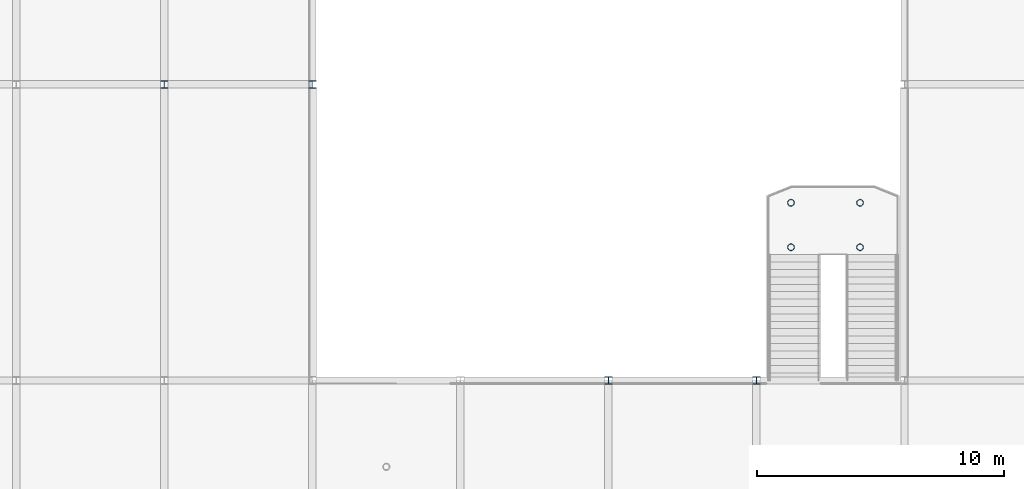
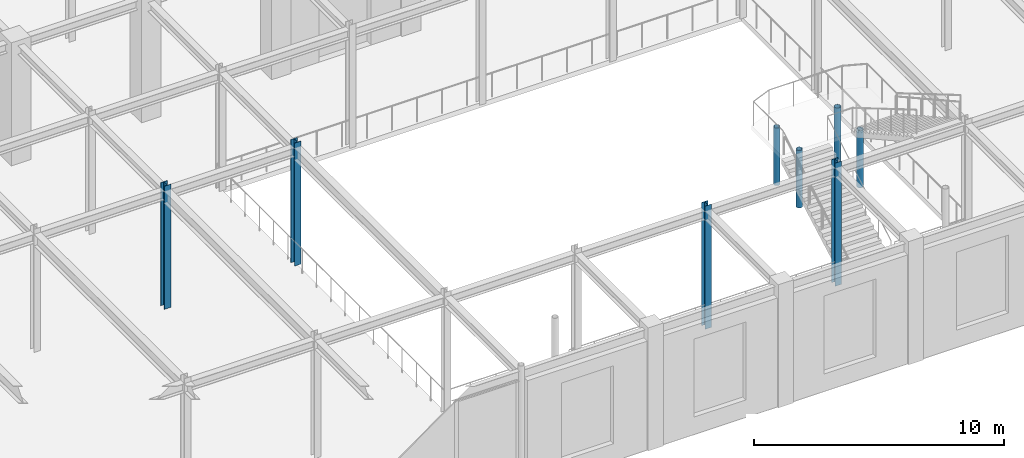
# One storey, part 8 of 108: 8 columns.
"""IFC4 building model written with IfcOpenShell, lengths in metres."""

from ifc_helpers import new_model, si_unit, direction, frame, origin, origin_2d, place, context, subcontext, project, spatial, hollow_circle, i_section, extrude, material, material_profile, profile_set, type_object, element, save


model = new_model("IFC4")

# Units and contexts
model_context = context("Model", 3, precision=1e-05, world=origin(), true_north=direction((0.0, 1.0)))
body_context = subcontext(model_context, "Body", "Model", "MODEL_VIEW")
ifc_project = project(units=[si_unit("LENGTHUNIT", "METRE"), si_unit("AREAUNIT", "SQUARE_METRE"), si_unit("VOLUMEUNIT", "CUBIC_METRE"), si_unit("PLANEANGLEUNIT", "RADIAN"), si_unit("MASSUNIT", "GRAM", prefix="KILO")], contexts=[model_context])

# Site, building, storey
site_placement = place(None, origin())
site = spatial("IfcSite", under=ifc_project, at=site_placement, CompositionType="ELEMENT")
building_placement = place(site_placement, origin())
building = spatial("IfcBuilding", under=site, at=building_placement, Name="Zlatovratsky Civic Hall", CompositionType="ELEMENT")
storey_placement = place(building_placement, frame((0.0, 0.0, 6.0)))
storey = spatial("IfcBuildingStorey", under=building, at=storey_placement, Name="L02", CompositionType="ELEMENT", Elevation=6.0)

# Columns
ifc_material = material(Name="Steel S355", Category="steel")
ifc_material_profile_1 = material_profile(ifc_material, hollow_circle(Radius=0.136474609375, WallThickness=0.010009765625, at=origin_2d()), Name="CHS 273x10")
ifc_profile_set_1 = profile_set([ifc_material_profile_1], Name="Steel S355")
column_type_1 = type_object("IfcColumnType", Name="Col_Portico_CHS273", PredefinedType="COLUMN", material=ifc_profile_set_1)
for number, where, z_axis, x_axis, name in (
    (1, (91.39990234375, 23.39990234375, 0.0), (0.0, 0.0, 1.0), (1.0, 0.0, 0.0), "CL-I2B-914-234"),
    (2, (91.39990234375, 25.199951171875, 0.0), (0.0, 0.0, 1.0), (1.0, 0.0, 0.0), "CL-I2B-914-252"),
    (3, (94.199951171875, 23.39990234375, 0.0), (0.0, 0.0, 1.0), (1.0, 0.0, 0.0), "CL-I2B-942-234"),
    (4, (94.199951171875, 25.199951171875, 0.0), (0.0, 0.0, 1.0), (1.0, 0.0, 0.0), "CL-I2B-942-252"),
):
    element("IfcColumn", number, at=place(storey_placement, frame(where, z_axis=z_axis, x_axis=x_axis)), inside=storey, type_object=column_type_1, Name=name, PredefinedType="COLUMN", context=body_context, shape_type="SweptSolid", body=[
        extrude(hollow_circle(Radius=0.136474609375, WallThickness=0.010009765625, at=origin_2d()), origin(), (0.0, 0.0, 1.0), 2.800048828125),
    ])
ifc_material_profile_2 = material_profile(ifc_material, i_section(OverallWidth=0.300048828125, OverallDepth=0.300048828125, WebThickness=0.010009765625, FlangeThickness=0.014892578125, FilletRadius=0.01806640625, at=origin_2d()), Name="30K2")
ifc_profile_set_2 = profile_set([ifc_material_profile_2], Name="Steel S355")
column_type_2 = type_object("IfcColumnType", Name="Col_Steel_30K2", PredefinedType="COLUMN", material=ifc_profile_set_2)
for number, where, z_axis, x_axis, name in (
    (5, (84.0, 18.0, 0.0), (0.0, 0.0, 1.0), (1.0, 0.0, 0.0), "CL-0870"),
    (6, (90.0, 18.0, 0.0), (0.0, 0.0, 1.0), (1.0, 0.0, 0.0), "CL-0871"),
    (7, (66.0, 30.0, 0.0), (0.0, 0.0, 1.0), (1.0, 0.0, 0.0), "CL-0890"),
    (8, (72.0, 30.0, 0.0), (0.0, 0.0, 1.0), (1.0, 0.0, 0.0), "CL-0891"),
):
    element("IfcColumn", number, at=place(storey_placement, frame(where, z_axis=z_axis, x_axis=x_axis)), inside=storey, type_object=column_type_2, Name=name, PredefinedType="COLUMN", context=body_context, shape_type="SweptSolid", body=[
        extrude(i_section(OverallWidth=0.300048828125, OverallDepth=0.300048828125, WebThickness=0.010009765625, FlangeThickness=0.014892578125, FilletRadius=0.01806640625, at=origin_2d()), origin(), (0.0, 0.0, 1.0), 6.0),
    ])

save(model, "model.ifc")
